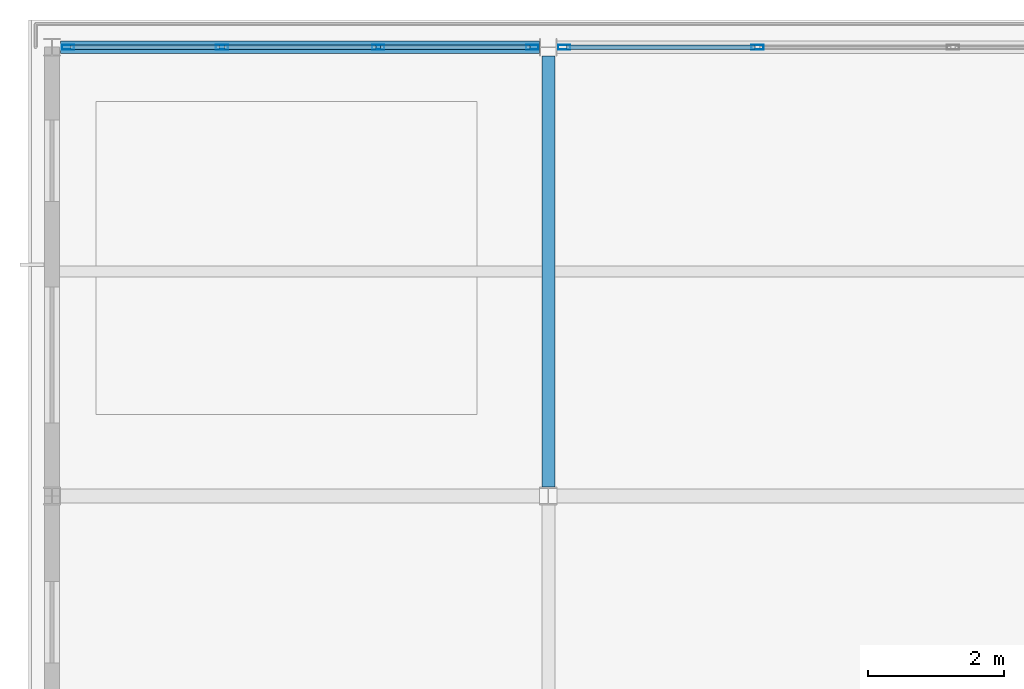
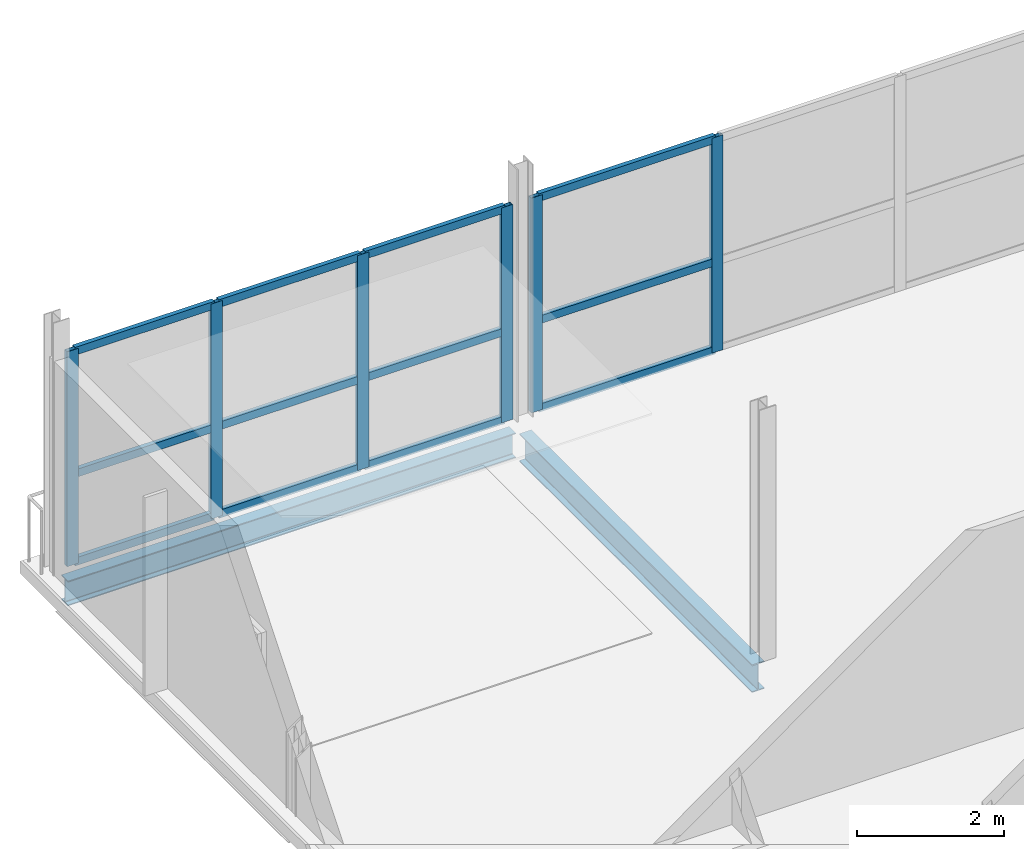
# One storey, part 7 of 14: 18 members, 2 beams, 2 elements without a shape of their own.
"""IFC4 building model written with IfcOpenShell, lengths in metres."""

from ifc_helpers import new_model, si_unit, direction, frame, origin, origin_2d, place, context, subcontext, project, spatial, hollow_rectangle, i_section, extrude, material, layer, layer_set, material_profile, profile_set, type_object, element, aggregate, save


model = new_model("IFC4")

# Units and contexts
model_context = context("Model", 3, precision=1e-05, world=origin(), true_north=direction((0.0, 1.0)))
body_context = subcontext(model_context, "Body", "Model", "MODEL_VIEW")
ifc_project = project(units=[si_unit("LENGTHUNIT", "METRE"), si_unit("AREAUNIT", "SQUARE_METRE"), si_unit("VOLUMEUNIT", "CUBIC_METRE"), si_unit("PLANEANGLEUNIT", "RADIAN"), si_unit("MASSUNIT", "GRAM", prefix="KILO")], contexts=[model_context])

# Site, building, storey
site_placement = place(None, origin())
site = spatial("IfcSite", under=ifc_project, at=site_placement, CompositionType="ELEMENT")
building_placement = place(site_placement, origin())
building = spatial("IfcBuilding", under=site, at=building_placement, Name="Quillay Park Conservatory", CompositionType="ELEMENT")
storey_placement = place(building_placement, frame((0.0, 0.0, 64.5)))
storey = spatial("IfcBuildingStorey", under=building, at=storey_placement, Name="L15", CompositionType="ELEMENT", Elevation=64.5)

# Curtain wall, members
ifc_material_1 = material(Name="Thermally Broken Anodised Aluminium 6063-T6", Category="aluminium")
ifc_layer = layer(ifc_material_1, 0.179931640625)
ifc_layer_set = layer_set([ifc_layer], Name="UNITISED CURTAIN WALL TOWER (Thermally Broken Anodised Aluminium 6063-T6)")
curtain_wall_type = type_object("IfcCurtainWallType", Name="UNITISED CURTAIN WALL TOWER", PredefinedType="USERDEFINED", material=ifc_layer_set)
curtain_wall_1_placement = place(storey_placement, origin())
curtain_wall_1 = element("IfcCurtainWall", 1, at=curtain_wall_1_placement, inside=storey, type_object=curtain_wall_type, Name="L15 Unitised Curtain Wall 144", ObjectType="UNITISED CURTAIN WALL", PredefinedType="USERDEFINED")
ifc_material_2 = material(Name="Thermally Broken Anodised Aluminium 6063-T6", Category="aluminium")
ifc_material_profile_1 = material_profile(ifc_material_2, hollow_rectangle(XDim=0.070068359375, YDim=0.179931640625, WallThickness=0.00390625, at=origin_2d()), Name="AL70x180x4")
ifc_profile_set_1 = profile_set([ifc_material_profile_1], Name="Thermally Broken Anodised Aluminium 6063-T6")
member_type_1 = type_object("IfcMemberType", Name="CURTAIN WALL MULLION 70 X180", PredefinedType="MULLION", material=ifc_profile_set_1)
member_1_placement = place(storey_placement, frame((0.784912109375, 113.39990234375, 0.0), z_axis=(0.0, 0.0, 1.0), x_axis=(0.0, 1.0, 0.0)))
member_1 = element("IfcMember", 2, at=member_1_placement, type_object=member_type_1, Name="CW-T1 mullion 1", PredefinedType="MULLION", context=body_context, shape_type="SweptSolid", body=[
    extrude(hollow_rectangle(XDim=0.070068359375, YDim=0.179931640625, WallThickness=0.00390625, at=origin_2d()), origin(), (0.0, 0.0, 1.0), 3.573974609375),
])
member_2_placement = place(storey_placement, frame((3.050048828125, 113.39990234375, 0.0), z_axis=(0.0, 0.0, 1.0), x_axis=(0.0, 1.0, 0.0)))
member_2 = element("IfcMember", 3, at=member_2_placement, type_object=member_type_1, Name="CW-T1 mullion 2", PredefinedType="MULLION", context=body_context, shape_type="SweptSolid", body=[
    extrude(hollow_rectangle(XDim=0.070068359375, YDim=0.179931640625, WallThickness=0.00390625, at=origin_2d()), origin(), (0.0, 0.0, 1.0), 3.573974609375),
])
member_3_placement = place(storey_placement, frame((5.35009765625, 113.39990234375, 0.0), z_axis=(0.0, 0.0, 1.0), x_axis=(0.0, 1.0, 0.0)))
member_3 = element("IfcMember", 4, at=member_3_placement, type_object=member_type_1, Name="CW-T1 mullion 3", PredefinedType="MULLION", context=body_context, shape_type="SweptSolid", body=[
    extrude(hollow_rectangle(XDim=0.070068359375, YDim=0.179931640625, WallThickness=0.00390625, at=origin_2d()), origin(), (0.0, 0.0, 1.0), 3.573974609375),
])
member_4_placement = place(storey_placement, frame((7.614990234375, 113.39990234375, 0.0), z_axis=(0.0, 0.0, 1.0), x_axis=(0.0, 1.0, 0.0)))
member_4 = element("IfcMember", 5, at=member_4_placement, type_object=member_type_1, Name="CW-T1 mullion 4", PredefinedType="MULLION", context=body_context, shape_type="SweptSolid", body=[
    extrude(hollow_rectangle(XDim=0.070068359375, YDim=0.179931640625, WallThickness=0.00390625, at=origin_2d()), origin(), (0.0, 0.0, 1.0), 3.573974609375),
])

curtain_wall_2_placement = place(storey_placement, origin())
curtain_wall_2 = element("IfcCurtainWall", 6, at=curtain_wall_2_placement, inside=storey, type_object=curtain_wall_type, Name="L15 Unitised Curtain Wall 145", ObjectType="UNITISED CURTAIN WALL", PredefinedType="USERDEFINED")
member_5_placement = place(storey_placement, frame((8.0849609375, 113.39990234375, 0.0), z_axis=(0.0, 0.0, 1.0), x_axis=(0.0, 1.0, 0.0)))
member_5 = element("IfcMember", 7, at=member_5_placement, type_object=member_type_1, Name="CW-T1 mullion 1", PredefinedType="MULLION", context=body_context, shape_type="SweptSolid", body=[
    extrude(hollow_rectangle(XDim=0.070068359375, YDim=0.179931640625, WallThickness=0.00390625, at=origin_2d()), origin(), (0.0, 0.0, 1.0), 3.573974609375),
])
member_6_placement = place(storey_placement, frame((10.925048828125, 113.39990234375, 0.0), z_axis=(0.0, 0.0, 1.0), x_axis=(0.0, 1.0, 0.0)))
member_6 = element("IfcMember", 8, at=member_6_placement, type_object=member_type_1, Name="CW-T1 mullion 2", PredefinedType="MULLION", context=body_context, shape_type="SweptSolid", body=[
    extrude(hollow_rectangle(XDim=0.070068359375, YDim=0.179931640625, WallThickness=0.00390625, at=origin_2d()), origin(), (0.0, 0.0, 1.0), 3.573974609375),
])

# Member
ifc_material_3 = material(Name="Thermally Broken Anodised Aluminium 6063-T6", Category="aluminium")
ifc_material_profile_2 = material_profile(ifc_material_3, hollow_rectangle(XDim=0.070068359375, YDim=0.1298828125, WallThickness=0.003173828125, at=origin_2d()), Name="AL70x130x3.2")
ifc_profile_set_2 = profile_set([ifc_material_profile_2], Name="Thermally Broken Anodised Aluminium 6063-T6")
member_type_2 = type_object("IfcMemberType", Name="CURTAIN WALL TRANSOM 70 X130", PredefinedType="USERDEFINED", material=ifc_profile_set_2)
member_7_placement = place(storey_placement, frame((0.820068359375, 113.39990234375, 0.034912109375), z_axis=(1.0, 0.0, 0.0), x_axis=(0.0, 1.0, 0.0)))
member_7 = element("IfcMember", 9, at=member_7_placement, type_object=member_type_2, Name="CW-T1 transom 1.1", ObjectType="TRANSOM", PredefinedType="USERDEFINED", context=body_context, shape_type="SweptSolid", body=[
    extrude(hollow_rectangle(XDim=0.070068359375, YDim=0.1298828125, WallThickness=0.003173828125, at=origin_2d()), origin(), (0.0, 0.0, 1.0), 2.19482421875),
])

member_8_placement = place(storey_placement, frame((0.820068359375, 113.39990234375, 1.501220703125), z_axis=(1.0, 0.0, 0.0), x_axis=(0.0, 1.0, 0.0)))
member_8 = element("IfcMember", 10, at=member_8_placement, type_object=member_type_2, Name="CW-T1 transom 1.2", ObjectType="TRANSOM", PredefinedType="USERDEFINED", context=body_context, shape_type="SweptSolid", body=[
    extrude(hollow_rectangle(XDim=0.070068359375, YDim=0.1298828125, WallThickness=0.003173828125, at=origin_2d()), origin(), (0.0, 0.0, 1.0), 2.19482421875),
])

member_9_placement = place(storey_placement, frame((0.820068359375, 113.39990234375, 3.5390625), z_axis=(1.0, 0.0, 0.0), x_axis=(0.0, 1.0, 0.0)))
member_9 = element("IfcMember", 11, at=member_9_placement, type_object=member_type_2, Name="CW-T1 transom 1.3", ObjectType="TRANSOM", PredefinedType="USERDEFINED", context=body_context, shape_type="SweptSolid", body=[
    extrude(hollow_rectangle(XDim=0.070068359375, YDim=0.1298828125, WallThickness=0.003173828125, at=origin_2d()), origin(), (0.0, 0.0, 1.0), 2.19482421875),
])

member_10_placement = place(storey_placement, frame((3.0849609375, 113.39990234375, 0.034912109375), z_axis=(1.0, 0.0, 0.0), x_axis=(0.0, 1.0, 0.0)))
member_10 = element("IfcMember", 12, at=member_10_placement, type_object=member_type_2, Name="CW-T1 transom 2.1", ObjectType="TRANSOM", PredefinedType="USERDEFINED", context=body_context, shape_type="SweptSolid", body=[
    extrude(hollow_rectangle(XDim=0.070068359375, YDim=0.1298828125, WallThickness=0.003173828125, at=origin_2d()), origin(), (0.0, 0.0, 1.0), 2.22998046875),
])

member_11_placement = place(storey_placement, frame((3.0849609375, 113.39990234375, 1.501220703125), z_axis=(1.0, 0.0, 0.0), x_axis=(0.0, 1.0, 0.0)))
member_11 = element("IfcMember", 13, at=member_11_placement, type_object=member_type_2, Name="CW-T1 transom 2.2", ObjectType="TRANSOM", PredefinedType="USERDEFINED", context=body_context, shape_type="SweptSolid", body=[
    extrude(hollow_rectangle(XDim=0.070068359375, YDim=0.1298828125, WallThickness=0.003173828125, at=origin_2d()), origin(), (0.0, 0.0, 1.0), 2.22998046875),
])

member_12_placement = place(storey_placement, frame((3.0849609375, 113.39990234375, 3.5390625), z_axis=(1.0, 0.0, 0.0), x_axis=(0.0, 1.0, 0.0)))
member_12 = element("IfcMember", 14, at=member_12_placement, type_object=member_type_2, Name="CW-T1 transom 2.3", ObjectType="TRANSOM", PredefinedType="USERDEFINED", context=body_context, shape_type="SweptSolid", body=[
    extrude(hollow_rectangle(XDim=0.070068359375, YDim=0.1298828125, WallThickness=0.003173828125, at=origin_2d()), origin(), (0.0, 0.0, 1.0), 2.22998046875),
])

member_13_placement = place(storey_placement, frame((5.385009765625, 113.39990234375, 0.034912109375), z_axis=(1.0, 0.0, 0.0), x_axis=(0.0, 1.0, 0.0)))
member_13 = element("IfcMember", 15, at=member_13_placement, type_object=member_type_2, Name="CW-T1 transom 3.1", ObjectType="TRANSOM", PredefinedType="USERDEFINED", context=body_context, shape_type="SweptSolid", body=[
    extrude(hollow_rectangle(XDim=0.070068359375, YDim=0.1298828125, WallThickness=0.003173828125, at=origin_2d()), origin(), (0.0, 0.0, 1.0), 2.195068359375),
])

member_14_placement = place(storey_placement, frame((5.385009765625, 113.39990234375, 1.501220703125), z_axis=(1.0, 0.0, 0.0), x_axis=(0.0, 1.0, 0.0)))
member_14 = element("IfcMember", 16, at=member_14_placement, type_object=member_type_2, Name="CW-T1 transom 3.2", ObjectType="TRANSOM", PredefinedType="USERDEFINED", context=body_context, shape_type="SweptSolid", body=[
    extrude(hollow_rectangle(XDim=0.070068359375, YDim=0.1298828125, WallThickness=0.003173828125, at=origin_2d()), origin(), (0.0, 0.0, 1.0), 2.195068359375),
])

member_15_placement = place(storey_placement, frame((5.385009765625, 113.39990234375, 3.5390625), z_axis=(1.0, 0.0, 0.0), x_axis=(0.0, 1.0, 0.0)))
member_15 = element("IfcMember", 17, at=member_15_placement, type_object=member_type_2, Name="CW-T1 transom 3.3", ObjectType="TRANSOM", PredefinedType="USERDEFINED", context=body_context, shape_type="SweptSolid", body=[
    extrude(hollow_rectangle(XDim=0.070068359375, YDim=0.1298828125, WallThickness=0.003173828125, at=origin_2d()), origin(), (0.0, 0.0, 1.0), 2.195068359375),
])

aggregate(curtain_wall_1, [member_1, member_2, member_3, member_4, member_7, member_8, member_9, member_10, member_11, member_12, member_13, member_14, member_15])

member_16_placement = place(storey_placement, frame((8.1201171875, 113.39990234375, 0.034912109375), z_axis=(1.0, 0.0, 0.0), x_axis=(0.0, 1.0, 0.0)))
member_16 = element("IfcMember", 18, at=member_16_placement, type_object=member_type_2, Name="CW-T1 transom 1.1", ObjectType="TRANSOM", PredefinedType="USERDEFINED", context=body_context, shape_type="SweptSolid", body=[
    extrude(hollow_rectangle(XDim=0.070068359375, YDim=0.1298828125, WallThickness=0.003173828125, at=origin_2d()), origin(), (0.0, 0.0, 1.0), 2.769775390625),
])

member_17_placement = place(storey_placement, frame((8.1201171875, 113.39990234375, 1.501220703125), z_axis=(1.0, 0.0, 0.0), x_axis=(0.0, 1.0, 0.0)))
member_17 = element("IfcMember", 19, at=member_17_placement, type_object=member_type_2, Name="CW-T1 transom 1.2", ObjectType="TRANSOM", PredefinedType="USERDEFINED", context=body_context, shape_type="SweptSolid", body=[
    extrude(hollow_rectangle(XDim=0.070068359375, YDim=0.1298828125, WallThickness=0.003173828125, at=origin_2d()), origin(), (0.0, 0.0, 1.0), 2.769775390625),
])

member_18_placement = place(storey_placement, frame((8.1201171875, 113.39990234375, 3.5390625), z_axis=(1.0, 0.0, 0.0), x_axis=(0.0, 1.0, 0.0)))
member_18 = element("IfcMember", 20, at=member_18_placement, type_object=member_type_2, Name="CW-T1 transom 1.3", ObjectType="TRANSOM", PredefinedType="USERDEFINED", context=body_context, shape_type="SweptSolid", body=[
    extrude(hollow_rectangle(XDim=0.070068359375, YDim=0.1298828125, WallThickness=0.003173828125, at=origin_2d()), origin(), (0.0, 0.0, 1.0), 2.769775390625),
])

aggregate(curtain_wall_2, [member_5, member_6, member_16, member_17, member_18])

# Beams
ifc_material_4 = material(Name="Steel ASTM A992 Grade 50", Category="steel")
ifc_material_profile_3 = material_profile(ifc_material_4, i_section(OverallWidth=0.179931640625, OverallDepth=0.4130859375, WebThickness=0.009765625, FlangeThickness=0.01611328125, FilletRadius=0.011962890625, at=origin_2d()), Name="W410x74")
ifc_profile_set_3 = profile_set([ifc_material_profile_3], Name="Steel ASTM A992 Grade 50")
beam_type_1 = type_object("IfcBeamType", Name="PERIMETER SPANDREL BEAM W410 X74", PredefinedType="SPANDREL", material=ifc_profile_set_3)
beam_1_placement = place(storey_placement, frame((0.677978515625, 113.39990234375, -0.406494140625), z_axis=(1.0, 0.0, 0.0), x_axis=(0.0, 1.0, 0.0)))
element("IfcBeam", 21, at=beam_1_placement, inside=storey, type_object=beam_type_1, Name="L15 beam BM-SP-1013", PredefinedType="SPANDREL", context=body_context, shape_type="SweptSolid", body=[
    extrude(i_section(OverallWidth=0.179931640625, OverallDepth=0.4130859375, WebThickness=0.009765625, FlangeThickness=0.01611328125, FilletRadius=0.011962890625, at=origin_2d()), origin(), (0.0, 0.0, 1.0), 7.0419921875),
])
ifc_material_5 = material(Name="Steel ASTM A992 Grade 50", Category="steel")
ifc_material_profile_4 = material_profile(ifc_material_5, i_section(OverallWidth=0.19189453125, OverallDepth=0.462890625, WebThickness=0.010498046875, FlangeThickness=0.017578125, FilletRadius=0.012939453125, at=origin_2d()), Name="W460x89")
ifc_profile_set_4 = profile_set([ifc_material_profile_4], Name="Steel ASTM A992 Grade 50")
beam_type_2 = type_object("IfcBeamType", Name="PRIMARY FLOOR GIRDER W460 X89", PredefinedType="BEAM", material=ifc_profile_set_4)
beam_2_placement = place(storey_placement, frame((7.85009765625, 106.929931640625, -0.431396484375), z_axis=(0.0, 1.0, 0.0), x_axis=(-1.0, 0.0, 0.0)))
element("IfcBeam", 22, at=beam_2_placement, inside=storey, type_object=beam_type_2, Name="L15 beam BM-GNS-1043", PredefinedType="BEAM", context=body_context, shape_type="SweptSolid", body=[
    extrude(i_section(OverallWidth=0.19189453125, OverallDepth=0.462890625, WebThickness=0.010498046875, FlangeThickness=0.017578125, FilletRadius=0.012939453125, at=origin_2d()), origin(), (0.0, 0.0, 1.0), 6.342041015625),
])

save(model, "model.ifc")
